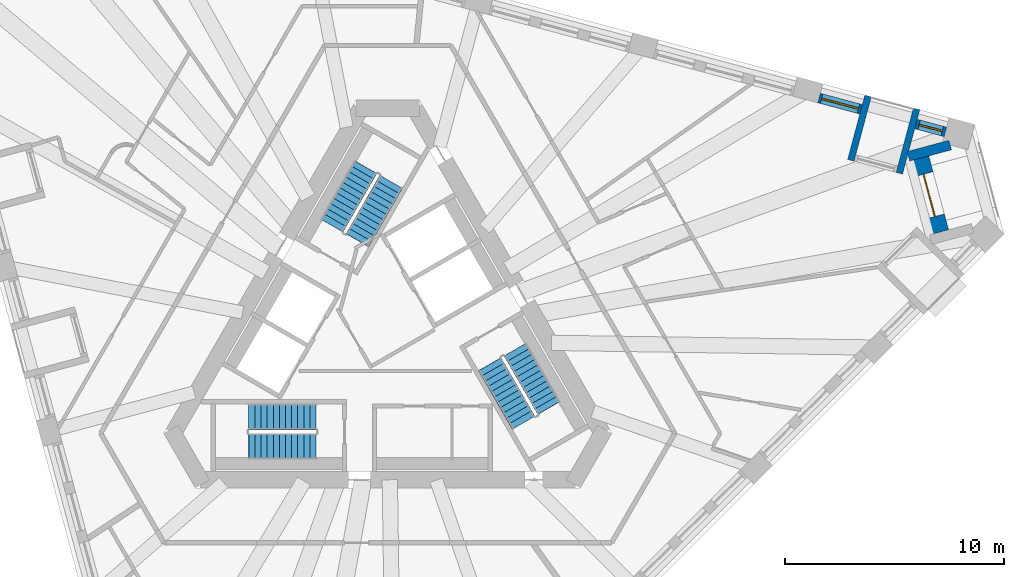
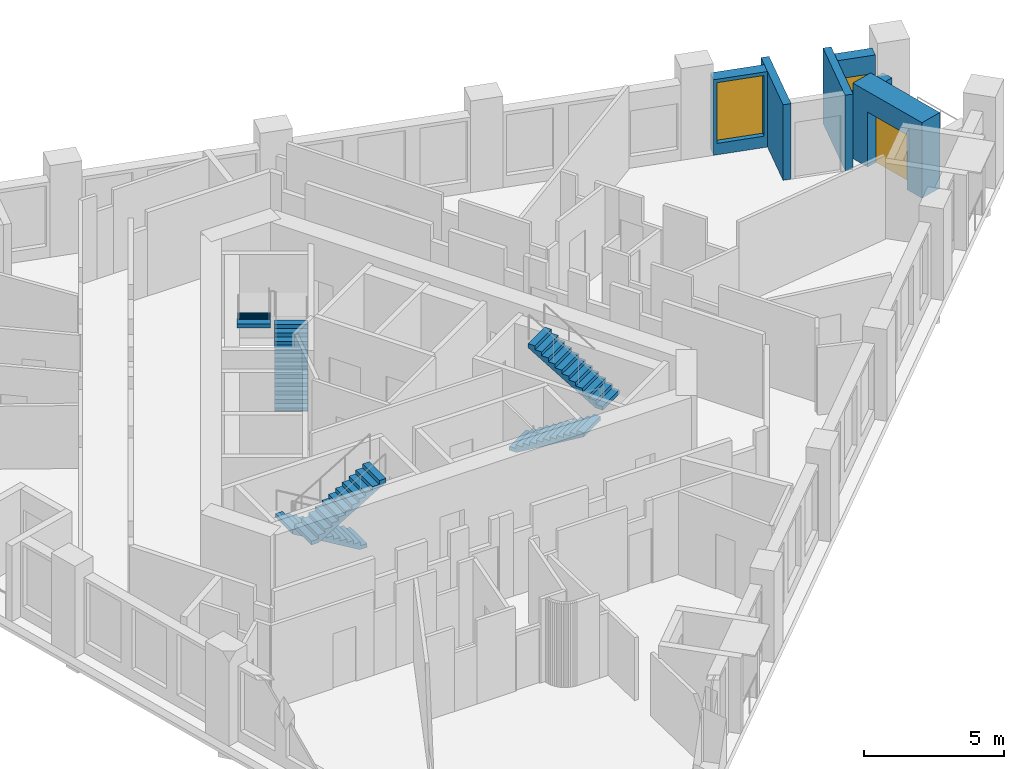
# One storey, part 9 of 13: 6 stair flights, 6 walls, 2 windows, 1 door, 3 openings, 3 elements without a shape of their own.
"""IFC4 building model written with IfcOpenShell, lengths in metres."""

from ifc_helpers import new_model, si_unit, direction, frame, frame_2d, origin, place, context, subcontext, project, spatial, polyline, rectangle, outline, extrude, material, layer, layer_set, type_object, element, fill, aggregate, save


model = new_model("IFC4")

# Units and contexts
model_context = context("Model", 3, precision=1e-05, world=origin(), true_north=direction((0.0, 1.0)))
body_context = subcontext(model_context, "Body", "Model", "MODEL_VIEW")
ifc_project = project(units=[si_unit("LENGTHUNIT", "METRE"), si_unit("AREAUNIT", "SQUARE_METRE"), si_unit("VOLUMEUNIT", "CUBIC_METRE"), si_unit("PLANEANGLEUNIT", "RADIAN"), si_unit("MASSUNIT", "GRAM", prefix="KILO")], contexts=[model_context])

# Site, building, storey
site_placement = place(None, origin())
site = spatial("IfcSite", under=ifc_project, at=site_placement, CompositionType="ELEMENT")
building_placement = place(site_placement, origin())
building = spatial("IfcBuilding", under=site, at=building_placement, Name="Tramontana Tower", CompositionType="ELEMENT")
storey_placement = place(building_placement, frame((0.0, 0.0, 220.0)))
storey = spatial("IfcBuildingStorey", under=building, at=storey_placement, Name="L51", CompositionType="ELEMENT", Elevation=220.0)

# Wall, opening, window
ifc_material_1 = material(Name="Precast concrete 60 MPa", Category="concrete")
ifc_layer_1 = layer(ifc_material_1, 0.449951171875)
ifc_layer_set_1 = layer_set([ifc_layer_1], Name="Precast concrete 60 MPa, 450 mm")
wall_type_1 = type_object("IfcWallType", Name="EW1 Stone-faced precast wall 450", PredefinedType="SOLIDWALL", material=ifc_layer_set_1)
wall_1_placement = place(storey_placement, frame((25.522705078125, 9.54443359375, 0.0), z_axis=(0.0, 0.0, 1.0), x_axis=(-0.965938699585, 0.258770996527, 0.0)))
wall_1 = element("IfcWall", 1, at=wall_1_placement, inside=storey, type_object=wall_type_1, Name="External wall L51 face 2 bay 1", PredefinedType="SOLIDWALL", context=body_context, shape_type="SweptSolid", body=[
    extrude(rectangle(XDim=1.398193359375, YDim=0.449951171875, at=frame_2d((0.69921875, 0.0))), origin(), (0.0, 0.0, 1.0), 3.300048828125),
])
opening_1_placement = place(wall_1_placement, frame((0.14892578125, 0.0, 0.5)))
opening_1 = element("IfcOpeningElement", 2, at=opening_1_placement, cuts=wall_1, Name="Opening N2L", PredefinedType="OPENING", context=body_context, shape_type="SweptSolid", body=[
    extrude(rectangle(XDim=1.10009765625, YDim=2.0, at=frame_2d((0.550048828125, 1.0))), frame((0.0, 0.23486328125, 0.0), z_axis=(0.0, -1.0, 0.0), x_axis=(1.0, 0.0, 0.0)), (0.0, 0.0, 1.0), 0.469970703125),
])
ifc_material_2 = material(Name="Aluminum frame, double glazing unit", Category="aluminium")
window_type_1 = type_object("IfcWindowType", Name="N2L Window 1.1 x 2", PartitioningType="SINGLE_PANEL", PredefinedType="WINDOW", material=ifc_material_2)
window_1_placement = place(opening_1_placement, origin())
window_1 = element("IfcWindow", 3, at=window_1_placement, inside=storey, type_object=window_type_1, Name="Window N2L L51 face 2 module 1", OverallHeight=2.0, OverallWidth=1.10009765625, PartitioningType="SINGLE_PANEL", PredefinedType="WINDOW", context=body_context, shape_type="SweptSolid", body=[
    extrude(rectangle(XDim=1.10009765625, YDim=2.0, at=frame_2d((0.550048828125, 1.0))), frame((0.0, 0.030029296875, 0.0), z_axis=(0.0, -1.0, 0.0), x_axis=(1.0, 0.0, 0.0)), (0.0, 0.0, 1.0), 0.06005859375),
])
fill(opening_1, window_1)

wall_2_placement = place(storey_placement, frame((21.66259765625, 10.578857421875, 0.0), z_axis=(0.0, 0.0, 1.0), x_axis=(-0.96593005298, 0.258803270362, 0.0)))
wall_2 = element("IfcWall", 4, at=wall_2_placement, inside=storey, type_object=wall_type_1, Name="External wall L51 face 2 bay 1", PredefinedType="SOLIDWALL", context=body_context, shape_type="SweptSolid", body=[
    extrude(rectangle(XDim=1.998046875, YDim=0.449951171875, at=frame_2d((0.9990234375, 0.0))), origin(), (0.0, 0.0, 1.0), 3.300048828125),
])
opening_2_placement = place(wall_2_placement, frame((0.1240234375, 0.0, 0.5)))
opening_2 = element("IfcOpeningElement", 5, at=opening_2_placement, cuts=wall_2, Name="Opening M2", PredefinedType="OPENING", context=body_context, shape_type="SweptSolid", body=[
    extrude(rectangle(XDim=1.75, YDim=2.64990234375, at=frame_2d((0.875, 1.324951171875))), frame((0.0, 0.23486328125, 0.0), z_axis=(0.0, -1.0, 0.0), x_axis=(1.0, 0.0, 0.0)), (0.0, 0.0, 1.0), 0.469970703125),
])
ifc_material_3 = material(Name="Aluminum frame, double glazing unit", Category="aluminium")
window_type_2 = type_object("IfcWindowType", Name="M2 Window 1.75 x 2.65", PartitioningType="SINGLE_PANEL", PredefinedType="WINDOW", material=ifc_material_3)
window_2_placement = place(opening_2_placement, origin())
window_2 = element("IfcWindow", 6, at=window_2_placement, inside=storey, type_object=window_type_2, Name="Window M2 L51 face 2 module 3", OverallHeight=2.64990234375, OverallWidth=1.75, PartitioningType="SINGLE_PANEL", PredefinedType="WINDOW", context=body_context, shape_type="SweptSolid", body=[
    extrude(rectangle(XDim=1.75, YDim=2.64990234375, at=frame_2d((0.875, 1.324951171875))), frame((0.0, 0.030029296875, 0.0), z_axis=(0.0, -1.0, 0.0), x_axis=(1.0, 0.0, 0.0)), (0.0, 0.0, 1.0), 0.06005859375),
])
fill(opening_2, window_2)

# Wall
wall_3_placement = place(storey_placement, frame((25.741943359375, 8.942138671875, 0.0), z_axis=(0.0, 0.0, 1.0), x_axis=(-0.965935388955, -0.258783354109, 0.0)))
element("IfcWall", 7, at=wall_3_placement, inside=storey, type_object=wall_type_1, Name="Corner loggia side wall L51 K52l", PredefinedType="SOLIDWALL", context=body_context, shape_type="SweptSolid", body=[
    extrude(rectangle(XDim=1.979248046875, YDim=0.449951171875, at=frame_2d((0.98974609375, 0.0))), origin(), (0.0, 0.0, 1.0), 2.550048828125),
])

# Wall, opening, door
ifc_material_4 = material(Name="Precast concrete 60 MPa", Category="concrete")
ifc_layer_2 = layer(ifc_material_4, 0.89990234375)
ifc_layer_set_2 = layer_set([ifc_layer_2], Name="EW2 Stone-faced corner loggia wall 900")
wall_type_2 = type_object("IfcWallType", Name="EW2 Stone-faced corner loggia wall 900", PredefinedType="SOLIDWALL", material=ifc_layer_set_2)
wall_4_placement = place(storey_placement, frame((24.322998046875, 8.3291015625, 0.0), z_axis=(0.0, 0.0, 1.0), x_axis=(0.258847652622, -0.965918160473, 0.0)))
wall_4 = element("IfcWall", 8, at=wall_4_placement, inside=storey, type_object=wall_type_2, Name="Corner loggia wall L51 K52", PredefinedType="SOLIDWALL", context=body_context, shape_type="SweptSolid", body=[
    extrude(rectangle(XDim=3.500244140625, YDim=0.89990234375, at=frame_2d((1.75, 0.0))), origin(), (0.0, 0.0, 1.0), 3.300048828125),
])
opening_3_placement = place(wall_4_placement, frame((0.75, 0.0, 0.0)))
opening_3 = element("IfcOpeningElement", 9, at=opening_3_placement, cuts=wall_4, Name="Opening BD-52C", PredefinedType="OPENING", context=body_context, shape_type="SweptSolid", body=[
    extrude(rectangle(XDim=2.0, YDim=2.39990234375, at=frame_2d((1.0, 1.199951171875))), frame((0.0, 0.4599609375, 0.0), z_axis=(0.0, -1.0, 0.0), x_axis=(1.0, 0.0, 0.0)), (0.0, 0.0, 1.0), 0.919921875),
])
ifc_material_5 = material(Name="Aluminum frame, double glazing unit", Category="aluminium")
door_type = type_object("IfcDoorType", Name="BC1 Sliding door 2 x 2.4", OperationType="SLIDING_TO_LEFT", PredefinedType="DOOR", material=ifc_material_5)
door_placement = place(opening_3_placement, origin())
door = element("IfcDoor", 10, at=door_placement, inside=storey, type_object=door_type, Name="Corner loggia door L51 K52", OperationType="SLIDING_TO_LEFT", OverallHeight=2.39990234375, OverallWidth=2.0, PredefinedType="DOOR", context=body_context, shape_type="SweptSolid", body=[
    extrude(rectangle(XDim=2.0, YDim=2.39990234375, at=frame_2d((1.0, 1.199951171875))), frame((0.0, 0.02490234375, 0.0), z_axis=(0.0, -1.0, 0.0), x_axis=(1.0, 0.0, 0.0)), (0.0, 0.0, 1.0), 0.050048828125),
])
fill(opening_3, door)

# Walls
ifc_material_6 = material(Name="Precast concrete 60 MPa", Category="concrete")
ifc_layer_3 = layer(ifc_material_6, 0.300048828125)
ifc_layer_set_3 = layer_set([ifc_layer_3], Name="LW1 Stone-faced loggia wall 300")
wall_type_3 = type_object("IfcWallType", Name="LW1 Stone-faced loggia wall 300", PredefinedType="SOLIDWALL", material=ifc_layer_set_3)
for number, where, z_axis, x_axis, name in (
    (11, (24.201904296875, 10.59716796875, 0.0), (0.0, 0.0, 1.0), (-0.258793435045, -0.965932688119, 0.0), "Loggia return L51 G5S2.1a"),
    (12, (21.982177734375, 11.19189453125, 0.0), (0.0, 0.0, 1.0), (-0.258793435045, -0.965932688119, 0.0), "Loggia return L51 G5S2.1b"),
):
    element("IfcWall", number, at=place(storey_placement, frame(where, z_axis=z_axis, x_axis=x_axis)), inside=storey, type_object=wall_type_3, Name=name, PredefinedType="SOLIDWALL", context=body_context, shape_type="SweptSolid", body=[
        extrude(rectangle(XDim=3.050048828125, YDim=0.300048828125, at=frame_2d((1.52490234375, 0.0))), origin(), (0.0, 0.0, 1.0), 3.300048828125),
    ])

# Stair, stair flights
ifc_material_7 = material(Name="Concrete 40 MPa", Category="concrete")
stair_type = type_object("IfcStairType", Name="EXIT STAIR 24 RISERS", PredefinedType="HALF_TURN_STAIR", material=ifc_material_7)
stair_1_placement = place(storey_placement, origin())
stair_1 = element("IfcStair", 13, at=stair_1_placement, inside=storey, type_object=stair_type, Name="L51 Exit stair ST1", PredefinedType="HALF_TURN_STAIR")
ifc_material_8 = material(Name="Concrete 40 MPa", Category="concrete")
ifc_layer_4 = layer(ifc_material_8, 0.14990234375)
ifc_layer_set_4 = layer_set([ifc_layer_4], Name="EXIT STAIR FLIGHT")
stair_flight_type = type_object("IfcStairFlightType", Name="EXIT STAIR FLIGHT", PredefinedType="STRAIGHT", material=ifc_layer_set_4)
stair_flight_1_placement = place(storey_placement, frame((-1.39111328125, 4.590576171875, 0.0), z_axis=(0.0, 0.0, 1.0), x_axis=(0.5, 0.866025403784, 0.0)))
stair_flight_1 = element("IfcStairFlight", 14, at=stair_flight_1_placement, type_object=stair_flight_type, Name="ST1 flight 1", NumberOfRisers=12, NumberOfTreads=11, PredefinedType="STRAIGHT", RiserHeight=0.166666667, TreadLength=0.28, context=body_context, shape_type="SweptSolid", body=[
    extrude(outline(polyline([(-0.006103515625, 0.0), (-0.006103515625, 0.0400390625), (0.0, 0.0400390625), (0.0, 0.166748046875), (0.280029296875, 0.166748046875), (0.280029296875, 0.333251953125), (0.56005859375, 0.333251953125), (0.56005859375, 0.5), (0.840087890625, 0.5), (0.840087890625, 0.666748046875), (1.1201171875, 0.666748046875), (1.1201171875, 0.833251953125), (1.39990234375, 0.833251953125), (1.39990234375, 1.0), (1.679931640625, 1.0), (1.679931640625, 1.166748046875), (1.9599609375, 1.166748046875), (1.9599609375, 1.333251953125), (2.239990234375, 1.333251953125), (2.239990234375, 1.5), (2.52001953125, 1.5), (2.52001953125, 1.666748046875), (2.800048828125, 1.666748046875), (2.800048828125, 1.833251953125), (3.080078125, 1.833251953125), (3.0859375, 1.833251953125), (3.0859375, 1.658935546875), (0.299072265625, 0.0), (-0.006103515625, 0.0)])), frame((0.0, 0.60009765625, 0.0), z_axis=(0.0, -1.0, 0.0), x_axis=(1.0, 0.0, 0.0)), (0.0, 0.0, 1.0), 1.199951171875),
])
stair_flight_2_placement = place(storey_placement, frame((-1.020263671875, 7.932861328125, 2.0), z_axis=(0.0, 0.0, 1.0), x_axis=(-0.5, -0.866025403784, 0.0)))
stair_flight_2 = element("IfcStairFlight", 15, at=stair_flight_2_placement, type_object=stair_flight_type, Name="ST1 flight 2", NumberOfRisers=12, NumberOfTreads=11, PredefinedType="STRAIGHT", RiserHeight=0.166666667, TreadLength=0.28, context=body_context, shape_type="SweptSolid", body=[
    extrude(outline(polyline([(-0.006103515625, 0.0), (-0.006103515625, 0.0400390625), (0.0, 0.0400390625), (0.0, 0.166748046875), (0.280029296875, 0.166748046875), (0.280029296875, 0.333251953125), (0.56005859375, 0.333251953125), (0.56005859375, 0.5), (0.840087890625, 0.5), (0.840087890625, 0.666748046875), (1.1201171875, 0.666748046875), (1.1201171875, 0.833251953125), (1.39990234375, 0.833251953125), (1.39990234375, 1.0), (1.679931640625, 1.0), (1.679931640625, 1.166748046875), (1.9599609375, 1.166748046875), (1.9599609375, 1.333251953125), (2.239990234375, 1.333251953125), (2.239990234375, 1.5), (2.52001953125, 1.5), (2.52001953125, 1.666748046875), (2.800048828125, 1.666748046875), (2.800048828125, 1.833251953125), (3.080078125, 1.833251953125), (3.0859375, 1.833251953125), (3.0859375, 1.658935546875), (0.299072265625, 0.0), (-0.006103515625, 0.0)])), frame((0.0, 0.60009765625, 0.0), z_axis=(0.0, -1.0, 0.0), x_axis=(1.0, 0.0, 0.0)), (0.0, 0.0, 1.0), 1.199951171875),
])
aggregate(stair_1, [stair_flight_1, stair_flight_2])

stair_2_placement = place(storey_placement, origin())
stair_2 = element("IfcStair", 16, at=stair_2_placement, inside=storey, type_object=stair_type, Name="L51 Exit stair ST2", PredefinedType="HALF_TURN_STAIR")
stair_flight_3_placement = place(storey_placement, frame((-3.280029296875, -3.5, 0.0), z_axis=(0.0, 0.0, 1.0), x_axis=(-1.0, 0.0, 0.0)))
stair_flight_3 = element("IfcStairFlight", 17, at=stair_flight_3_placement, type_object=stair_flight_type, Name="ST2 flight 1", NumberOfRisers=12, NumberOfTreads=11, PredefinedType="STRAIGHT", RiserHeight=0.166666667, TreadLength=0.28, context=body_context, shape_type="SweptSolid", body=[
    extrude(outline(polyline([(-0.006103515625, 0.0), (-0.006103515625, 0.0400390625), (0.0, 0.0400390625), (0.0, 0.166748046875), (0.280029296875, 0.166748046875), (0.280029296875, 0.333251953125), (0.56005859375, 0.333251953125), (0.56005859375, 0.5), (0.840087890625, 0.5), (0.840087890625, 0.666748046875), (1.1201171875, 0.666748046875), (1.1201171875, 0.833251953125), (1.39990234375, 0.833251953125), (1.39990234375, 1.0), (1.679931640625, 1.0), (1.679931640625, 1.166748046875), (1.9599609375, 1.166748046875), (1.9599609375, 1.333251953125), (2.239990234375, 1.333251953125), (2.239990234375, 1.5), (2.52001953125, 1.5), (2.52001953125, 1.666748046875), (2.800048828125, 1.666748046875), (2.800048828125, 1.833251953125), (3.080078125, 1.833251953125), (3.0859375, 1.833251953125), (3.0859375, 1.658935546875), (0.299072265625, 0.0), (-0.006103515625, 0.0)])), frame((0.0, 0.60009765625, 0.0), z_axis=(0.0, -1.0, 0.0), x_axis=(1.0, 0.0, 0.0)), (0.0, 0.0, 1.0), 1.199951171875),
])
stair_flight_4_placement = place(storey_placement, frame((-6.360107421875, -4.85009765625, 2.0), z_axis=(0.0, 0.0, 1.0), x_axis=(1.0, 0.0, 0.0)))
stair_flight_4 = element("IfcStairFlight", 18, at=stair_flight_4_placement, type_object=stair_flight_type, Name="ST2 flight 2", NumberOfRisers=12, NumberOfTreads=11, PredefinedType="STRAIGHT", RiserHeight=0.166666667, TreadLength=0.28, context=body_context, shape_type="SweptSolid", body=[
    extrude(outline(polyline([(-0.006103515625, 0.0), (-0.006103515625, 0.0400390625), (0.0, 0.0400390625), (0.0, 0.166748046875), (0.280029296875, 0.166748046875), (0.280029296875, 0.333251953125), (0.56005859375, 0.333251953125), (0.56005859375, 0.5), (0.840087890625, 0.5), (0.840087890625, 0.666748046875), (1.1201171875, 0.666748046875), (1.1201171875, 0.833251953125), (1.39990234375, 0.833251953125), (1.39990234375, 1.0), (1.679931640625, 1.0), (1.679931640625, 1.166748046875), (1.9599609375, 1.166748046875), (1.9599609375, 1.333251953125), (2.239990234375, 1.333251953125), (2.239990234375, 1.5), (2.52001953125, 1.5), (2.52001953125, 1.666748046875), (2.800048828125, 1.666748046875), (2.800048828125, 1.833251953125), (3.080078125, 1.833251953125), (3.0859375, 1.833251953125), (3.0859375, 1.658935546875), (0.299072265625, 0.0), (-0.006103515625, 0.0)])), frame((0.0, 0.60009765625, 0.0), z_axis=(0.0, -1.0, 0.0), x_axis=(1.0, 0.0, 0.0)), (0.0, 0.0, 1.0), 1.199951171875),
])
aggregate(stair_2, [stair_flight_3, stair_flight_4])

stair_3_placement = place(storey_placement, origin())
stair_3 = element("IfcStair", 19, at=stair_3_placement, inside=storey, type_object=stair_type, Name="L51 Exit stair ST3", PredefinedType="HALF_TURN_STAIR")
stair_flight_5_placement = place(storey_placement, frame((4.671142578125, -1.090576171875, 0.0), z_axis=(0.0, 0.0, 1.0), x_axis=(0.5, -0.866025403784, 0.0)))
stair_flight_5 = element("IfcStairFlight", 20, at=stair_flight_5_placement, type_object=stair_flight_type, Name="ST3 flight 1", NumberOfRisers=12, NumberOfTreads=11, PredefinedType="STRAIGHT", RiserHeight=0.166666667, TreadLength=0.28, context=body_context, shape_type="SweptSolid", body=[
    extrude(outline(polyline([(-0.006103515625, 0.0), (-0.006103515625, 0.0400390625), (0.0, 0.0400390625), (0.0, 0.166748046875), (0.280029296875, 0.166748046875), (0.280029296875, 0.333251953125), (0.56005859375, 0.333251953125), (0.56005859375, 0.5), (0.840087890625, 0.5), (0.840087890625, 0.666748046875), (1.1201171875, 0.666748046875), (1.1201171875, 0.833251953125), (1.39990234375, 0.833251953125), (1.39990234375, 1.0), (1.679931640625, 1.0), (1.679931640625, 1.166748046875), (1.9599609375, 1.166748046875), (1.9599609375, 1.333251953125), (2.239990234375, 1.333251953125), (2.239990234375, 1.5), (2.52001953125, 1.5), (2.52001953125, 1.666748046875), (2.800048828125, 1.666748046875), (2.800048828125, 1.833251953125), (3.080078125, 1.833251953125), (3.0859375, 1.833251953125), (3.0859375, 1.658935546875), (0.299072265625, 0.0), (-0.006103515625, 0.0)])), frame((0.0, 0.60009765625, 0.0), z_axis=(0.0, -1.0, 0.0), x_axis=(1.0, 0.0, 0.0)), (0.0, 0.0, 1.0), 1.199951171875),
])
stair_flight_6_placement = place(storey_placement, frame((7.380126953125, -3.0830078125, 2.0), z_axis=(0.0, 0.0, 1.0), x_axis=(-0.5, 0.866025403784, 0.0)))
stair_flight_6 = element("IfcStairFlight", 21, at=stair_flight_6_placement, type_object=stair_flight_type, Name="ST3 flight 2", NumberOfRisers=12, NumberOfTreads=11, PredefinedType="STRAIGHT", RiserHeight=0.166666667, TreadLength=0.28, context=body_context, shape_type="SweptSolid", body=[
    extrude(outline(polyline([(-0.006103515625, 0.0), (-0.006103515625, 0.0400390625), (0.0, 0.0400390625), (0.0, 0.166748046875), (0.280029296875, 0.166748046875), (0.280029296875, 0.333251953125), (0.56005859375, 0.333251953125), (0.56005859375, 0.5), (0.840087890625, 0.5), (0.840087890625, 0.666748046875), (1.1201171875, 0.666748046875), (1.1201171875, 0.833251953125), (1.39990234375, 0.833251953125), (1.39990234375, 1.0), (1.679931640625, 1.0), (1.679931640625, 1.166748046875), (1.9599609375, 1.166748046875), (1.9599609375, 1.333251953125), (2.239990234375, 1.333251953125), (2.239990234375, 1.5), (2.52001953125, 1.5), (2.52001953125, 1.666748046875), (2.800048828125, 1.666748046875), (2.800048828125, 1.833251953125), (3.080078125, 1.833251953125), (3.0859375, 1.833251953125), (3.0859375, 1.658935546875), (0.299072265625, 0.0), (-0.006103515625, 0.0)])), frame((0.0, 0.60009765625, 0.0), z_axis=(0.0, -1.0, 0.0), x_axis=(1.0, 0.0, 0.0)), (0.0, 0.0, 1.0), 1.199951171875),
])
aggregate(stair_3, [stair_flight_5, stair_flight_6])

save(model, "model.ifc")
